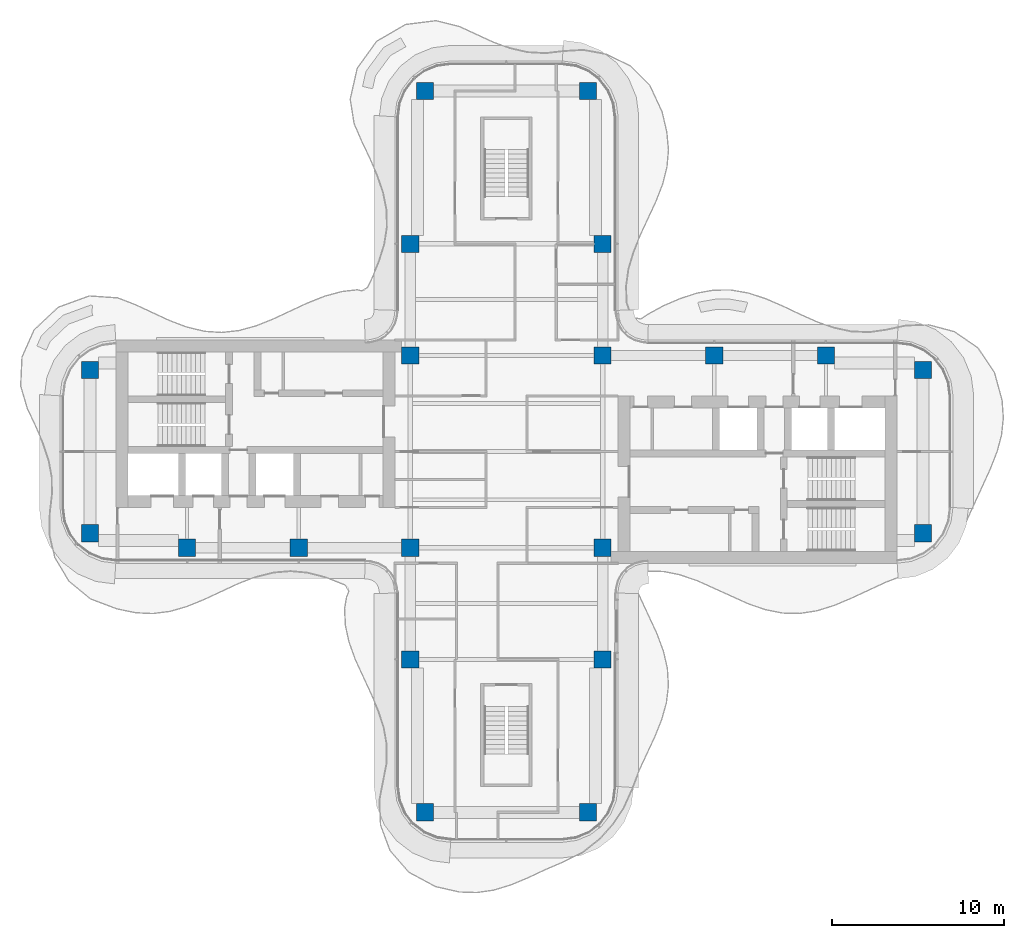
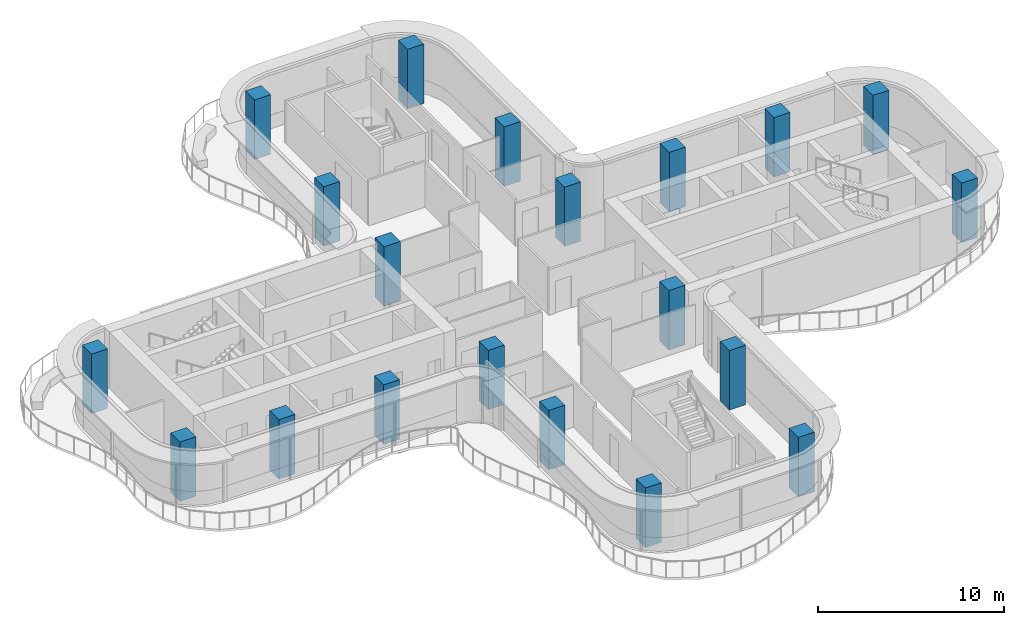
# One storey, part 1 of 17: 20 columns.
"""IFC4 building model written with IfcOpenShell, lengths in metres."""

from ifc_helpers import new_model, si_unit, direction, frame, origin, origin_2d, place, context, subcontext, project, spatial, rectangle, extrude, source, transform, mapped, material, material_profile, profile_set, type_object, element, save


model = new_model("IFC4")

# Units and contexts
model_context = context("Model", 3, precision=1e-05, world=origin(), true_north=direction((0.0, 1.0)))
body_context = subcontext(model_context, "Body", "Model", "MODEL_VIEW")
ifc_project = project(units=[si_unit("LENGTHUNIT", "METRE"), si_unit("AREAUNIT", "SQUARE_METRE"), si_unit("VOLUMEUNIT", "CUBIC_METRE"), si_unit("PLANEANGLEUNIT", "RADIAN"), si_unit("MASSUNIT", "GRAM", prefix="KILO")], contexts=[model_context])

# Site, building, storey
site_placement = place(None, origin())
site = spatial("IfcSite", under=ifc_project, at=site_placement, CompositionType="ELEMENT")
building_placement = place(site_placement, origin())
building = spatial("IfcBuilding", under=site, at=building_placement, Name="Trellis Farm Tower", CompositionType="ELEMENT")
storey_placement = place(building_placement, frame((0.0, 0.0, 283.300048828125)))
storey = spatial("IfcBuildingStorey", under=building, at=storey_placement, Name="L63", CompositionType="ELEMENT", Elevation=283.300048828125)

# Columns
ifc_material = material(Name="Concrete C60/75", Category="concrete")
ifc_material_profile = material_profile(ifc_material, rectangle(XDim=1.0, YDim=1.0, at=origin_2d()), Name="RC column 1000x1000 C60/75")
ifc_profile_set = profile_set([ifc_material_profile], Name="Concrete C60/75")
column_type = type_object("IfcColumnType", Name="RC column 1000x1000 C60/75", PredefinedType="COLUMN", material=ifc_profile_set)
shared_shape = source(origin(), body_context, "Body", "SweptSolid", [
    extrude(rectangle(XDim=1.0, YDim=1.0, at=origin_2d()), origin(), (0.0, 0.0, 1.0), 3.89990234375),
])
for number, where, z_axis, x_axis, name in (
    (1, (12.10009765625, 5.60009765625, 0.0), (0.0, 0.0, 1.0), (1.0, 0.0, 0.0), "Column"),
    (2, (18.60009765625, 5.60009765625, 0.0), (0.0, 0.0, 1.0), (1.0, 0.0, 0.0), "Column"),
    (3, (24.25, 4.75, 0.0), (0.0, 0.0, 1.0), (1.0, 0.0, 0.0), "Column"),
    (4, (24.25, -4.75, 0.0), (0.0, 0.0, 1.0), (1.0, 0.0, 0.0), "Column"),
    (5, (-5.60009765625, 12.10009765625, 0.0), (0.0, 0.0, 1.0), (1.0, 0.0, 0.0), "Column"),
    (6, (-4.75, 21.0, 0.0), (0.0, 0.0, 1.0), (1.0, 0.0, 0.0), "Column"),
    (7, (5.60009765625, 12.10009765625, 0.0), (0.0, 0.0, 1.0), (1.0, 0.0, 0.0), "Column"),
    (8, (4.75, 21.0, 0.0), (0.0, 0.0, 1.0), (1.0, 0.0, 0.0), "Column"),
    (9, (5.60009765625, 5.60009765625, 0.0), (0.0, 0.0, 1.0), (1.0, 0.0, 0.0), "Column"),
    (10, (-5.60009765625, 5.60009765625, 0.0), (0.0, 0.0, 1.0), (1.0, 0.0, 0.0), "Column"),
    (11, (5.60009765625, -5.60009765625, 0.0), (0.0, 0.0, 1.0), (1.0, 0.0, 0.0), "Column"),
    (12, (-5.60009765625, -5.60009765625, 0.0), (0.0, 0.0, 1.0), (1.0, 0.0, 0.0), "Column"),
    (13, (5.60009765625, -12.10009765625, 0.0), (0.0, 0.0, 1.0), (1.0, 0.0, 0.0), "Column"),
    (14, (4.75, -21.0, 0.0), (0.0, 0.0, 1.0), (1.0, 0.0, 0.0), "Column"),
    (15, (-5.60009765625, -12.10009765625, 0.0), (0.0, 0.0, 1.0), (1.0, 0.0, 0.0), "Column"),
    (16, (-4.75, -21.0, 0.0), (0.0, 0.0, 1.0), (1.0, 0.0, 0.0), "Column"),
    (17, (-12.10009765625, -5.60009765625, 0.0), (0.0, 0.0, 1.0), (1.0, 0.0, 0.0), "Column"),
    (18, (-18.60009765625, -5.60009765625, 0.0), (0.0, 0.0, 1.0), (1.0, 0.0, 0.0), "Column"),
    (19, (-24.25, -4.75, 0.0), (0.0, 0.0, 1.0), (1.0, 0.0, 0.0), "Column"),
    (20, (-24.25, 4.75, 0.0), (0.0, 0.0, 1.0), (1.0, 0.0, 0.0), "Column"),
):
    element("IfcColumn", number, at=place(storey_placement, frame(where, z_axis=z_axis, x_axis=x_axis)), inside=storey, type_object=column_type, Name=name, PredefinedType="COLUMN", context=body_context, shape_type="MappedRepresentation", body=[
        mapped(shared_shape, transform((0.0, 0.0, 0.0))),
    ])

save(model, "model.ifc")
